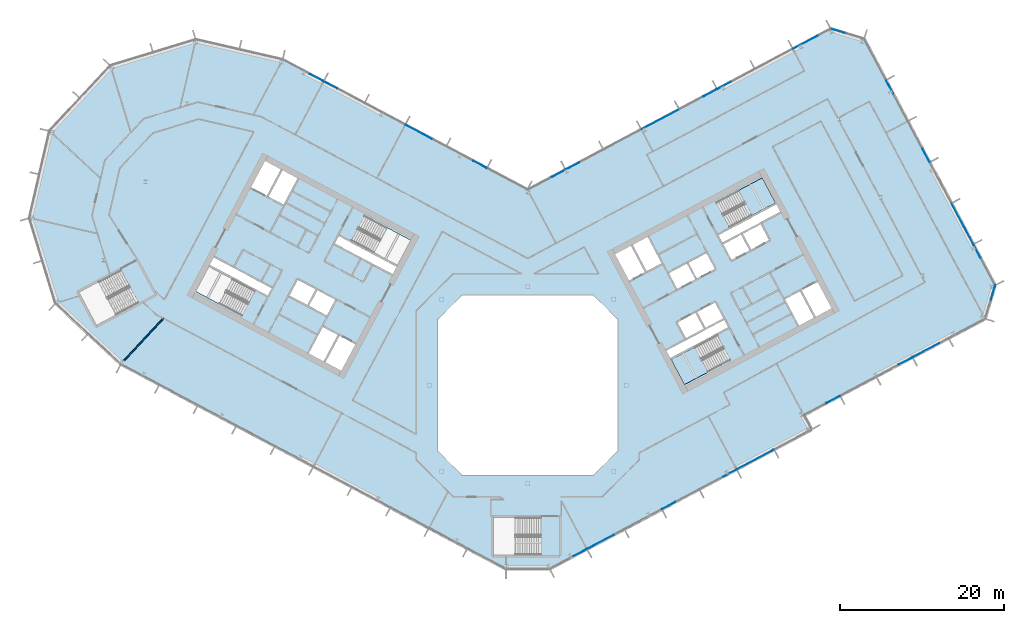
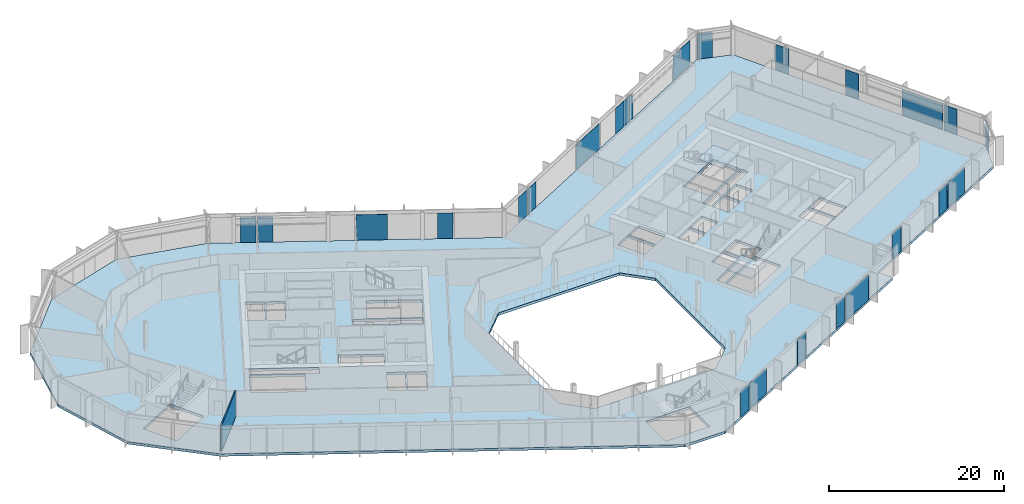
# One storey, part 12 of 28: 24 plates, 3 slabs, 1 wall, 9 elements without a shape of their own.
"""IFC4 building model written with IfcOpenShell, lengths in metres."""

from ifc_helpers import new_model, si_unit, direction, frame, frame_2d, origin, origin_2d, place, context, subcontext, project, spatial, polyline, rectangle, outline, extrude, material, layer, layer_set, type_object, element, aggregate, save


model = new_model("IFC4")

# Units and contexts
model_context = context("Model", 3, precision=1e-05, world=origin(), true_north=direction((0.0, 1.0)))
body_context = subcontext(model_context, "Body", "Model", "MODEL_VIEW")
ifc_project = project(units=[si_unit("LENGTHUNIT", "METRE"), si_unit("AREAUNIT", "SQUARE_METRE"), si_unit("VOLUMEUNIT", "CUBIC_METRE"), si_unit("PLANEANGLEUNIT", "RADIAN"), si_unit("MASSUNIT", "GRAM", prefix="KILO")], contexts=[model_context])

# Site, building, storey
site_placement = place(None, origin())
site = spatial("IfcSite", under=ifc_project, at=site_placement, CompositionType="ELEMENT")
building_placement = place(site_placement, origin())
building = spatial("IfcBuilding", under=site, at=building_placement, Name="Cormorant Relay Tower", CompositionType="ELEMENT")
storey_placement = place(building_placement, frame((0.0, 0.0, 170.199951171875)))
storey = spatial("IfcBuildingStorey", under=building, at=storey_placement, Name="L36", CompositionType="ELEMENT", Elevation=170.199951171875)

# Curtain wall, plates
ifc_material_1 = material(Name="Aluminium 6063-T6 anodised bronze", Category="aluminium")
ifc_layer_1 = layer(ifc_material_1, 0.199951171875)
ifc_layer_set_1 = layer_set([ifc_layer_1], Name="CW1 unitised bronze curtain wall with vertical fins")
curtain_wall_type = type_object("IfcCurtainWallType", Name="CW1 unitised bronze curtain wall with vertical fins", PredefinedType="NOTDEFINED", material=ifc_layer_set_1)
curtain_wall_1_placement = place(storey_placement, origin())
curtain_wall_1 = element("IfcCurtainWall", 1, at=curtain_wall_1_placement, inside=storey, type_object=curtain_wall_type, Name="CW1 curtain wall 2", PredefinedType="NOTDEFINED")
ifc_material_2 = material(Name="Tinted laminated glass", Category="glass")
ifc_layer_2 = layer(ifc_material_2, 0.0400390625)
ifc_layer_set_2 = layer_set([ifc_layer_2], Name="CW1 tinted vision panel 1800 module")
plate_type_1 = type_object("IfcPlateType", Name="CW1 tinted vision panel 1800 module", PredefinedType="CURTAIN_PANEL", material=ifc_layer_set_2)
plate_1_placement = place(storey_placement, frame((6.359130859375, -20.42529296875, 0.0), z_axis=(0.0, 0.0, 1.0), x_axis=(0.882947592859, 0.469471562786, 0.0)))
plate_1 = element("IfcPlate", 2, at=plate_1_placement, type_object=plate_type_1, Name="CW1 panel V01", PredefinedType="CURTAIN_PANEL", context=body_context, shape_type="SweptSolid", body=[
    extrude(rectangle(XDim=1.800048828125, YDim=0.0400390625, at=origin_2d()), origin(), (0.0, 0.0, 1.0), 3.550048828125),
])
plate_2_placement = place(storey_placement, frame((17.20458984375, -14.65869140625, 0.0), z_axis=(0.0, 0.0, 1.0), x_axis=(0.882947592859, 0.469471562786, 0.0)))
plate_2 = element("IfcPlate", 3, at=plate_2_placement, type_object=plate_type_1, Name="CW1 panel V04", PredefinedType="CURTAIN_PANEL", context=body_context, shape_type="SweptSolid", body=[
    extrude(rectangle(XDim=1.800048828125, YDim=0.0400390625, at=origin_2d()), origin(), (0.0, 0.0, 1.0), 3.550048828125),
])
plate_3_placement = place(storey_placement, frame((24.6064453125, -10.72314453125, 0.0), z_axis=(0.0, 0.0, 1.0), x_axis=(0.882947592859, 0.469471562786, 0.0)))
plate_3 = element("IfcPlate", 4, at=plate_3_placement, type_object=plate_type_1, Name="CW1 panel V06", PredefinedType="CURTAIN_PANEL", context=body_context, shape_type="SweptSolid", body=[
    extrude(rectangle(XDim=1.800048828125, YDim=0.0400390625, at=origin_2d()), origin(), (0.0, 0.0, 1.0), 3.550048828125),
])

curtain_wall_2_placement = place(storey_placement, origin())
curtain_wall_2 = element("IfcCurtainWall", 5, at=curtain_wall_2_placement, inside=storey, type_object=curtain_wall_type, Name="CW1 curtain wall 4", PredefinedType="NOTDEFINED")
plate_4_placement = place(storey_placement, frame((37.205810546875, -1.7587890625, 0.0), z_axis=(0.0, 0.0, 1.0), x_axis=(0.882947592859, 0.469471562786, 0.0)))
plate_4 = element("IfcPlate", 6, at=plate_4_placement, type_object=plate_type_1, Name="CW1 panel V01", PredefinedType="CURTAIN_PANEL", context=body_context, shape_type="SweptSolid", body=[
    extrude(rectangle(XDim=1.800048828125, YDim=0.0400390625, at=origin_2d()), origin(), (0.0, 0.0, 1.0), 3.550048828125),
])
plate_5_placement = place(storey_placement, frame((46.03515625, 2.935791015625, 0.0), z_axis=(0.0, 0.0, 1.0), x_axis=(0.882947592859, 0.469471562786, 0.0)))
plate_5 = element("IfcPlate", 7, at=plate_5_placement, type_object=plate_type_1, Name="CW1 panel V03", PredefinedType="CURTAIN_PANEL", context=body_context, shape_type="SweptSolid", body=[
    extrude(rectangle(XDim=1.800048828125, YDim=0.0400390625, at=origin_2d()), origin(), (0.0, 0.0, 1.0), 3.550048828125),
])

# Curtain wall, plate
curtain_wall_3_placement = place(storey_placement, origin())
curtain_wall_3 = element("IfcCurtainWall", 8, at=curtain_wall_3_placement, inside=storey, type_object=curtain_wall_type, Name="CW1 curtain wall 5", PredefinedType="NOTDEFINED")
plate_6_placement = place(storey_placement, frame((56.712646484375, 11.296630859375, 0.0), z_axis=(0.0, 0.0, 1.0), x_axis=(0.292371704723, 0.956304755963, 0.0)))
plate_6 = element("IfcPlate", 9, at=plate_6_placement, type_object=plate_type_1, Name="CW1 panel V01", PredefinedType="CURTAIN_PANEL", context=body_context, shape_type="SweptSolid", body=[
    extrude(rectangle(XDim=1.800048828125, YDim=0.0400390625, at=origin_2d()), origin(), (0.0, 0.0, 1.0), 3.550048828125),
])
aggregate(curtain_wall_3, [plate_6])

# Curtain wall, plates
curtain_wall_4_placement = place(storey_placement, origin())
curtain_wall_4 = element("IfcCurtainWall", 10, at=curtain_wall_4_placement, inside=storey, type_object=curtain_wall_type, Name="CW1 curtain wall 6", PredefinedType="NOTDEFINED")
plate_7_placement = place(storey_placement, frame((54.771728515625, 16.315185546875, 0.0), z_axis=(0.0, 0.0, 1.0), x_axis=(-0.469471562786, 0.882947592859, 0.0)))
plate_7 = element("IfcPlate", 11, at=plate_7_placement, type_object=plate_type_1, Name="CW1 panel V01", PredefinedType="CURTAIN_PANEL", context=body_context, shape_type="SweptSolid", body=[
    extrude(rectangle(XDim=1.800048828125, YDim=0.0400390625, at=origin_2d()), origin(), (0.0, 0.0, 1.0), 3.550048828125),
])
plate_8_placement = place(storey_placement, frame((48.535400390625, 28.043701171875, 0.0), z_axis=(0.0, 0.0, 1.0), x_axis=(-0.469471562786, 0.882947592859, 0.0)))
plate_8 = element("IfcPlate", 12, at=plate_8_placement, type_object=plate_type_1, Name="CW1 panel V04", PredefinedType="CURTAIN_PANEL", context=body_context, shape_type="SweptSolid", body=[
    extrude(rectangle(XDim=1.800048828125, YDim=0.0400390625, at=origin_2d()), origin(), (0.0, 0.0, 1.0), 3.550048828125),
])
plate_9_placement = place(storey_placement, frame((44.13037109375, 36.32861328125, 0.0), z_axis=(0.0, 0.0, 1.0), x_axis=(-0.469471562786, 0.882947592859, 0.0)))
plate_9 = element("IfcPlate", 13, at=plate_9_placement, type_object=plate_type_1, Name="CW1 panel V06", PredefinedType="CURTAIN_PANEL", context=body_context, shape_type="SweptSolid", body=[
    extrude(rectangle(XDim=1.800048828125, YDim=0.0400390625, at=origin_2d()), origin(), (0.0, 0.0, 1.0), 3.550048828125),
])

# Curtain wall, plate
curtain_wall_5_placement = place(storey_placement, origin())
curtain_wall_5 = element("IfcCurtainWall", 14, at=curtain_wall_5_placement, inside=storey, type_object=curtain_wall_type, Name="CW1 curtain wall 7", PredefinedType="NOTDEFINED")
plate_10_placement = place(storey_placement, frame((37.8037109375, 43.179931640625, 0.0), z_axis=(0.0, 0.0, 1.0), x_axis=(-0.956304755963, 0.292371704723, 0.0)))
plate_10 = element("IfcPlate", 15, at=plate_10_placement, type_object=plate_type_1, Name="CW1 panel V01", PredefinedType="CURTAIN_PANEL", context=body_context, shape_type="SweptSolid", body=[
    extrude(rectangle(XDim=1.800048828125, YDim=0.0400390625, at=origin_2d()), origin(), (0.0, 0.0, 1.0), 3.550048828125),
])
aggregate(curtain_wall_5, [plate_10])

# Curtain wall, plates
curtain_wall_6_placement = place(storey_placement, origin())
curtain_wall_6 = element("IfcCurtainWall", 16, at=curtain_wall_6_placement, inside=storey, type_object=curtain_wall_type, Name="CW1 curtain wall 8", PredefinedType="NOTDEFINED")
plate_11_placement = place(storey_placement, frame((23.937255859375, 36.5341796875, 0.0), z_axis=(0.0, 0.0, 1.0), x_axis=(-0.882947592859, -0.469471562786, 0.0)))
plate_11 = element("IfcPlate", 17, at=plate_11_placement, type_object=plate_type_1, Name="CW1 panel V03", PredefinedType="CURTAIN_PANEL", context=body_context, shape_type="SweptSolid", body=[
    extrude(rectangle(XDim=1.800048828125, YDim=0.0400390625, at=origin_2d()), origin(), (0.0, 0.0, 1.0), 3.550048828125),
])
plate_12_placement = place(storey_placement, frame((22.215576171875, 35.618896484375, 0.0), z_axis=(0.0, 0.0, 1.0), x_axis=(-0.882947592859, -0.469471562786, 0.0)))
plate_12 = element("IfcPlate", 18, at=plate_12_placement, type_object=plate_type_1, Name="CW1 panel V04", PredefinedType="CURTAIN_PANEL", context=body_context, shape_type="SweptSolid", body=[
    extrude(rectangle(XDim=1.800048828125, YDim=0.0400390625, at=origin_2d()), origin(), (0.0, 0.0, 1.0), 3.550048828125),
])
plate_13_placement = place(storey_placement, frame((5.468505859375, 26.71435546875, 0.0), z_axis=(0.0, 0.0, 1.0), x_axis=(-0.882947592859, -0.469471562786, 0.0)))
plate_13 = element("IfcPlate", 19, at=plate_13_placement, type_object=plate_type_1, Name="CW1 panel V08", PredefinedType="CURTAIN_PANEL", context=body_context, shape_type="SweptSolid", body=[
    extrude(rectangle(XDim=1.800048828125, YDim=0.0400390625, at=origin_2d()), origin(), (0.0, 0.0, 1.0), 3.550048828125),
])
plate_14_placement = place(storey_placement, frame((3.746826171875, 25.798828125, 0.0), z_axis=(0.0, 0.0, 1.0), x_axis=(-0.882947592859, -0.469471562786, 0.0)))
plate_14 = element("IfcPlate", 20, at=plate_14_placement, type_object=plate_type_1, Name="CW1 panel V09", PredefinedType="CURTAIN_PANEL", context=body_context, shape_type="SweptSolid", body=[
    extrude(rectangle(XDim=1.800048828125, YDim=0.0400390625, at=origin_2d()), origin(), (0.0, 0.0, 1.0), 3.550048828125),
])

curtain_wall_7_placement = place(storey_placement, origin())
curtain_wall_7 = element("IfcCurtainWall", 21, at=curtain_wall_7_placement, inside=storey, type_object=curtain_wall_type, Name="CW1 curtain wall 9", PredefinedType="NOTDEFINED")
plate_15_placement = place(storey_placement, frame((-5.830322265625, 26.90673828125, 0.0), z_axis=(0.0, 0.0, 1.0), x_axis=(-0.882947592859, 0.469471562786, 0.0)))
plate_15 = element("IfcPlate", 22, at=plate_15_placement, type_object=plate_type_1, Name="CW1 panel V01", PredefinedType="CURTAIN_PANEL", context=body_context, shape_type="SweptSolid", body=[
    extrude(rectangle(XDim=1.800048828125, YDim=0.0400390625, at=origin_2d()), origin(), (0.0, 0.0, 1.0), 3.550048828125),
])
plate_16_placement = place(storey_placement, frame((-24.0244140625, 36.580810546875, 0.0), z_axis=(0.0, 0.0, 1.0), x_axis=(-0.882947592859, 0.469471562786, 0.0)))
plate_16 = element("IfcPlate", 23, at=plate_16_placement, type_object=plate_type_1, Name="CW1 panel V05", PredefinedType="CURTAIN_PANEL", context=body_context, shape_type="SweptSolid", body=[
    extrude(rectangle(XDim=1.800048828125, YDim=0.0400390625, at=origin_2d()), origin(), (0.0, 0.0, 1.0), 3.550048828125),
])
plate_17_placement = place(storey_placement, frame((-25.746337890625, 37.49609375, 0.0), z_axis=(0.0, 0.0, 1.0), x_axis=(-0.882947592859, 0.469471562786, 0.0)))
plate_17 = element("IfcPlate", 24, at=plate_17_placement, type_object=plate_type_1, Name="CW1 panel V06", PredefinedType="CURTAIN_PANEL", context=body_context, shape_type="SweptSolid", body=[
    extrude(rectangle(XDim=1.800048828125, YDim=0.0400390625, at=origin_2d()), origin(), (0.0, 0.0, 1.0), 3.550048828125),
])

# Plate
ifc_material_3 = material(Name="Tinted laminated glass", Category="glass")
ifc_layer_3 = layer(ifc_material_3, 0.0400390625)
ifc_layer_set_3 = layer_set([ifc_layer_3], Name="CW1 tinted vision panel 3600 module")
plate_type_2 = type_object("IfcPlateType", Name="CW1 tinted vision panel 3600 module", PredefinedType="CURTAIN_PANEL", material=ifc_layer_set_3)
plate_18_placement = place(storey_placement, frame((8.87548828125, -19.08740234375, 0.0), z_axis=(0.0, 0.0, 1.0), x_axis=(0.882947592859, 0.469471562786, 0.0)))
plate_18 = element("IfcPlate", 25, at=plate_18_placement, type_object=plate_type_2, Name="CW1 panel V02", PredefinedType="CURTAIN_PANEL", context=body_context, shape_type="SweptSolid", body=[
    extrude(rectangle(XDim=3.60009765625, YDim=0.0400390625, at=origin_2d()), origin(), (0.0, 0.0, 1.0), 3.550048828125),
])

plate_19_placement = place(storey_placement, frame((48.551513671875, 4.27392578125, 0.0), z_axis=(0.0, 0.0, 1.0), x_axis=(0.882947592859, 0.469471562786, 0.0)))
plate_19 = element("IfcPlate", 26, at=plate_19_placement, type_object=plate_type_2, Name="CW1 panel V04", PredefinedType="CURTAIN_PANEL", context=body_context, shape_type="SweptSolid", body=[
    extrude(rectangle(XDim=3.60009765625, YDim=0.0400390625, at=origin_2d()), origin(), (0.0, 0.0, 1.0), 3.550048828125),
])

aggregate(curtain_wall_2, [plate_4, plate_5, plate_19])

plate_20_placement = place(storey_placement, frame((33.96630859375, 41.86669921875, 0.0), z_axis=(0.0, 0.0, 1.0), x_axis=(-0.882947592859, -0.469471562786, 0.0)))
plate_20 = element("IfcPlate", 27, at=plate_20_placement, type_object=plate_type_2, Name="CW1 panel V01", PredefinedType="CURTAIN_PANEL", context=body_context, shape_type="SweptSolid", body=[
    extrude(rectangle(XDim=3.60009765625, YDim=0.0400390625, at=origin_2d()), origin(), (0.0, 0.0, 1.0), 3.550048828125),
])

plate_21_placement = place(storey_placement, frame((-13.27197265625, 30.86328125, 0.0), z_axis=(0.0, 0.0, 1.0), x_axis=(-0.882947592859, 0.469471562786, 0.0)))
plate_21 = element("IfcPlate", 28, at=plate_21_placement, type_object=plate_type_2, Name="CW1 panel V03", PredefinedType="CURTAIN_PANEL", context=body_context, shape_type="SweptSolid", body=[
    extrude(rectangle(XDim=3.60009765625, YDim=0.0400390625, at=origin_2d()), origin(), (0.0, 0.0, 1.0), 3.550048828125),
])

aggregate(curtain_wall_7, [plate_15, plate_21, plate_16, plate_17])

ifc_material_4 = material(Name="Tinted laminated glass", Category="glass")
ifc_layer_4 = layer(ifc_material_4, 0.0400390625)
ifc_layer_set_4 = layer_set([ifc_layer_4], Name="CW1 tinted vision panel 5400 module")
plate_type_3 = type_object("IfcPlateType", Name="CW1 tinted vision panel 5400 module", PredefinedType="CURTAIN_PANEL", material=ifc_layer_set_4)
plate_22_placement = place(storey_placement, frame((27.748046875, -9.052734375, 0.0), z_axis=(0.0, 0.0, 1.0), x_axis=(0.882947592859, 0.469471562786, 0.0)))
plate_22 = element("IfcPlate", 29, at=plate_22_placement, type_object=plate_type_3, Name="CW1 panel V07", PredefinedType="CURTAIN_PANEL", context=body_context, shape_type="SweptSolid", body=[
    extrude(rectangle(XDim=5.0166015625, YDim=0.0400390625, at=origin_2d()), origin(), (0.0, 0.0, 1.0), 3.550048828125),
])

aggregate(curtain_wall_1, [plate_1, plate_18, plate_2, plate_3, plate_22])

plate_23_placement = place(storey_placement, frame((52.98388671875, 19.677734375, 0.0), z_axis=(0.0, 0.0, 1.0), x_axis=(-0.469471562786, 0.882947592859, 0.0)))
plate_23 = element("IfcPlate", 30, at=plate_23_placement, type_object=plate_type_3, Name="CW1 panel V02", PredefinedType="CURTAIN_PANEL", context=body_context, shape_type="SweptSolid", body=[
    extrude(rectangle(XDim=5.5166015625, YDim=0.0400390625, at=origin_2d()), origin(), (0.0, 0.0, 1.0), 3.550048828125),
])

aggregate(curtain_wall_4, [plate_7, plate_23, plate_8, plate_9])

plate_24_placement = place(storey_placement, frame((16.150634765625, 32.39404296875, 0.0), z_axis=(0.0, 0.0, 1.0), x_axis=(-0.882947592859, -0.469471562786, 0.0)))
plate_24 = element("IfcPlate", 31, at=plate_24_placement, type_object=plate_type_3, Name="CW1 panel V06", PredefinedType="CURTAIN_PANEL", context=body_context, shape_type="SweptSolid", body=[
    extrude(rectangle(XDim=5.079345703125, YDim=0.0400390625, at=origin_2d()), origin(), (0.0, 0.0, 1.0), 3.550048828125),
])

aggregate(curtain_wall_6, [plate_20, plate_11, plate_12, plate_24, plate_13, plate_14])

# Stair, slab
ifc_material_5 = material(Name="Concrete 40 MPa", Category="concrete")
stair_type = type_object("IfcStairType", Name="Exit stair 1500", PredefinedType="HALF_TURN_STAIR", material=ifc_material_5)
stair_1_placement = place(storey_placement, origin())
stair_1 = element("IfcStair", 32, at=stair_1_placement, inside=storey, type_object=stair_type, Name="L36 Stair", PredefinedType="HALF_TURN_STAIR")
ifc_material_6 = material(Name="Concrete 40 MPa", Category="concrete")
ifc_layer_5 = layer(ifc_material_6, 0.199951171875)
ifc_layer_set_5 = layer_set([ifc_layer_5], Name="Exit stair landing 200")
slab_type_1 = type_object("IfcSlabType", Name="Exit stair landing 200", PredefinedType="LANDING", material=ifc_layer_set_5)
slab_1_placement = place(storey_placement, frame((0.0, 0.0, 1.800048828125)))
slab_1 = element("IfcSlab", 33, at=slab_1_placement, type_object=slab_type_1, Name="B1 landing 1", PredefinedType="LANDING", context=body_context, shape_type="SweptSolid", body=[
    extrude(outline(polyline([(20.36767578125, 4.6572265625), (17.48046875, 3.1220703125), (19.10009765625, 0.075927734375), (21.9873046875, 1.611083984375), (20.36767578125, 4.6572265625)])), origin(), (0.0, 0.0, 1.0), 0.199951171875),
])
aggregate(stair_1, [slab_1])

stair_2_placement = place(storey_placement, origin())
stair_2 = element("IfcStair", 34, at=stair_2_placement, inside=storey, type_object=stair_type, Name="L36 Stair", PredefinedType="HALF_TURN_STAIR")
slab_2_placement = place(storey_placement, frame((0.0, 0.0, 1.800048828125)))
slab_2 = element("IfcSlab", 35, at=slab_2_placement, type_object=slab_type_1, Name="B2 landing 1", PredefinedType="LANDING", context=body_context, shape_type="SweptSolid", body=[
    extrude(outline(polyline([(27.3115234375, 20.6943359375), (30.19873046875, 22.2294921875), (28.5791015625, 25.275634765625), (25.69189453125, 23.740478515625), (27.3115234375, 20.6943359375)])), origin(), (0.0, 0.0, 1.0), 0.199951171875),
])
aggregate(stair_2, [slab_2])

# Slab
ifc_material_7 = material(Name="Concrete 40 MPa", Category="concrete")
ifc_layer_6 = layer(ifc_material_7, 0.360107421875)
ifc_layer_set_6 = layer_set([ifc_layer_6], Name="Flat plate 360")
slab_type_2 = type_object("IfcSlabType", Name="Flat plate 360", PredefinedType="FLOOR", material=ifc_layer_set_6)
slab_3_placement = place(storey_placement, frame((0.0, 0.0, -0.35986328125)))
element("IfcSlab", 36, at=slab_3_placement, inside=storey, type_object=slab_type_2, Name="Floor slab L36", PredefinedType="FLOOR", context=body_context, shape_type="SweptSolid", body=[
    extrude(outline(polyline([(-60.7197265625, 20.393310546875), (-58.2744140625, 30.985107421875), (-50.86083984375, 38.935302734375), (-40.465576171875, 42.11328125), (-29.873779296875, 39.668212890625), (0.0, 23.783935546875), (36.937255859375, 43.423828125), (40.99462890625, 42.18359375), (56.95654296875, 12.1630859375), (55.71630859375, 8.10595703125), (33.642578125, -3.630859375), (34.581298828125, -5.396728515625), (2.648681640625, -22.37548828125), (-2.648681640625, -22.37548828125), (-49.591552734375, 2.584228515625), (-57.541748046875, 9.997802734375), (-60.7197265625, 20.393310546875)]), holes=[polyline([(11.0, -8.0), (11.0, 8.0), (8.0, 11.0), (-8.0, 11.0), (-11.0, 8.0), (-11.0, -8.0), (-8.0, -11.0), (8.0, -11.0), (11.0, -8.0)]), polyline([(-4.199951171875, -16.125), (-4.199951171875, -20.675048828125), (1.60009765625, -20.675048828125), (1.60009765625, -16.125), (-4.199951171875, -16.125)]), polyline([(-22.95458984375, 6.03271484375), (-24.668212890625, 2.81005859375), (-22.725830078125, 1.777099609375), (-21.01220703125, 5.0), (-23.04296875, 6.07958984375), (-22.95458984375, 6.03271484375)]), polyline([(-24.985595703125, 7.112548828125), (-26.69921875, 3.889892578125), (-24.844970703125, 2.90380859375), (-23.13134765625, 6.126708984375), (-23.04296875, 6.07958984375), (-24.985595703125, 7.112548828125)]), polyline([(-24.481201171875, 8.48681640625), (-23.448486328125, 10.42919921875), (-25.656005859375, 11.602783203125), (-26.688720703125, 9.660400390625), (-24.481201171875, 8.48681640625)]), polyline([(-49.57861328125, 14.0537109375), (-54.69970703125, 11.330810546875), (-52.563720703125, 7.3134765625), (-47.442626953125, 10.036376953125), (-49.57861328125, 14.0537109375)]), polyline([(-25.83251953125, 11.69677734375), (-28.039794921875, 12.870361328125), (-29.07275390625, 10.927978515625), (-26.865234375, 9.75439453125), (-25.83251953125, 11.69677734375)]), polyline([(-38.847900390625, 14.483154296875), (-40.46728515625, 11.43701171875), (-34.860595703125, 8.455810546875), (-33.240966796875, 11.502197265625), (-38.847900390625, 14.483154296875)]), polyline([(-38.260986328125, 15.5869140625), (-38.75390625, 14.659912109375), (-31.690185546875, 10.904052734375), (-31.197265625, 11.8310546875), (-38.260986328125, 15.5869140625)]), polyline([(14.3056640625, 13.779052734375), (12.592041015625, 17.001708984375), (10.649658203125, 15.968994140625), (12.36328125, 12.74609375), (14.39404296875, 13.825927734375), (14.3056640625, 13.779052734375)]), polyline([(16.33642578125, 14.85888671875), (14.622802734375, 18.08154296875), (12.768798828125, 17.095703125), (14.482421875, 13.872802734375), (14.39404296875, 13.825927734375), (16.33642578125, 14.85888671875)]), polyline([(-16.481689453125, 13.520263671875), (-15.989013671875, 14.447509765625), (-23.052490234375, 18.203125), (-23.54541015625, 17.276123046875), (-16.481689453125, 13.520263671875)]), polyline([(-21.501708984375, 17.605224609375), (-15.89501953125, 14.6240234375), (-14.275390625, 17.670166015625), (-19.882080078125, 20.6513671875), (-21.501708984375, 17.605224609375)]), polyline([(-31.611572265625, 22.980712890625), (-29.75732421875, 21.99462890625), (-28.043701171875, 25.217529296875), (-29.89794921875, 26.203369140625), (-31.611572265625, 22.980712890625)]), polyline([(-32.01708984375, 27.330078125), (-33.73046875, 24.107421875), (-31.7880859375, 23.074462890625), (-30.074462890625, 26.29736328125), (-32.01708984375, 27.330078125)]), polyline([(17.48046875, 3.1220703125), (19.10009765625, 0.07568359375), (24.706787109375, 3.056884765625), (23.087158203125, 6.10302734375), (17.48046875, 3.1220703125)]), polyline([(16.8935546875, 4.2255859375), (17.386474609375, 3.298583984375), (24.4501953125, 7.054443359375), (23.957275390625, 7.9814453125), (16.8935546875, 4.2255859375)]), polyline([(20.446533203125, 8.8330078125), (18.239013671875, 7.6591796875), (19.27197265625, 5.716796875), (21.479248046875, 6.890380859375), (20.446533203125, 8.8330078125)]), polyline([(21.656005859375, 6.984375), (23.86328125, 8.158203125), (22.830322265625, 10.1005859375), (20.623046875, 8.927001953125), (21.656005859375, 6.984375)]), polyline([(33.197021484375, 11.478515625), (31.3427734375, 10.49267578125), (33.056396484375, 7.27001953125), (34.910400390625, 8.255859375), (33.197021484375, 11.478515625)]), polyline([(33.37353515625, 11.572509765625), (35.087158203125, 8.349609375), (37.029541015625, 9.382568359375), (35.31591796875, 12.605224609375), (33.37353515625, 11.572509765625)]), polyline([(17.19384765625, 13.67236328125), (18.2265625, 11.72998046875), (20.43408203125, 12.903564453125), (19.401123046875, 14.84619140625), (17.19384765625, 13.67236328125)]), polyline([(20.610595703125, 12.99755859375), (22.81787109375, 14.171142578125), (21.78515625, 16.113525390625), (19.57763671875, 14.93994140625), (20.610595703125, 12.99755859375)]), polyline([(26.023193359375, 18.3671875), (23.81591796875, 17.193359375), (24.8486328125, 15.2509765625), (27.05615234375, 16.424560546875), (26.023193359375, 18.3671875)]), polyline([(29.440185546875, 17.692138671875), (28.4072265625, 19.634765625), (26.19970703125, 18.4609375), (27.232666015625, 16.5185546875), (29.440185546875, 17.692138671875)]), polyline([(30.78564453125, 21.125732421875), (30.29248046875, 22.052978515625), (23.22900390625, 18.297119140625), (23.721923828125, 17.3701171875), (30.78564453125, 21.125732421875)]), polyline([(24.592041015625, 19.248291015625), (30.19873046875, 22.2294921875), (28.5791015625, 25.275634765625), (22.972412109375, 22.29443359375), (24.592041015625, 19.248291015625)])]), origin(), (0.0, 0.0, 1.0), 0.35986328125),
])

# Wall
ifc_material_8 = material(Name="Gypsum board partition")
ifc_layer_7 = layer(ifc_material_8, 0.14990234375)
ifc_layer_set_7 = layer_set([ifc_layer_7], Name="Tenant partition 150")
wall_type = type_object("IfcWallType", Name="Tenant partition 150", PredefinedType="PARTITIONING", material=ifc_layer_set_7)
wall_placement = place(storey_placement, frame((-44.402099609375, 8.14892578125, 0.0), z_axis=(0.0, 0.0, 1.0), x_axis=(-0.682039957921, -0.731314908777, 0.0)))
element("IfcWall", 37, at=wall_placement, inside=storey, type_object=wall_type, Name="wall/L36/part/011", PredefinedType="PARTITIONING", context=body_context, shape_type="SweptSolid", body=[
    extrude(rectangle(XDim=7.0654296875, YDim=0.14990234375, at=frame_2d((3.53271484375, 0.0))), origin(), (0.0, 0.0, 1.0), 3.64013671875),
])

save(model, "model.ifc")
